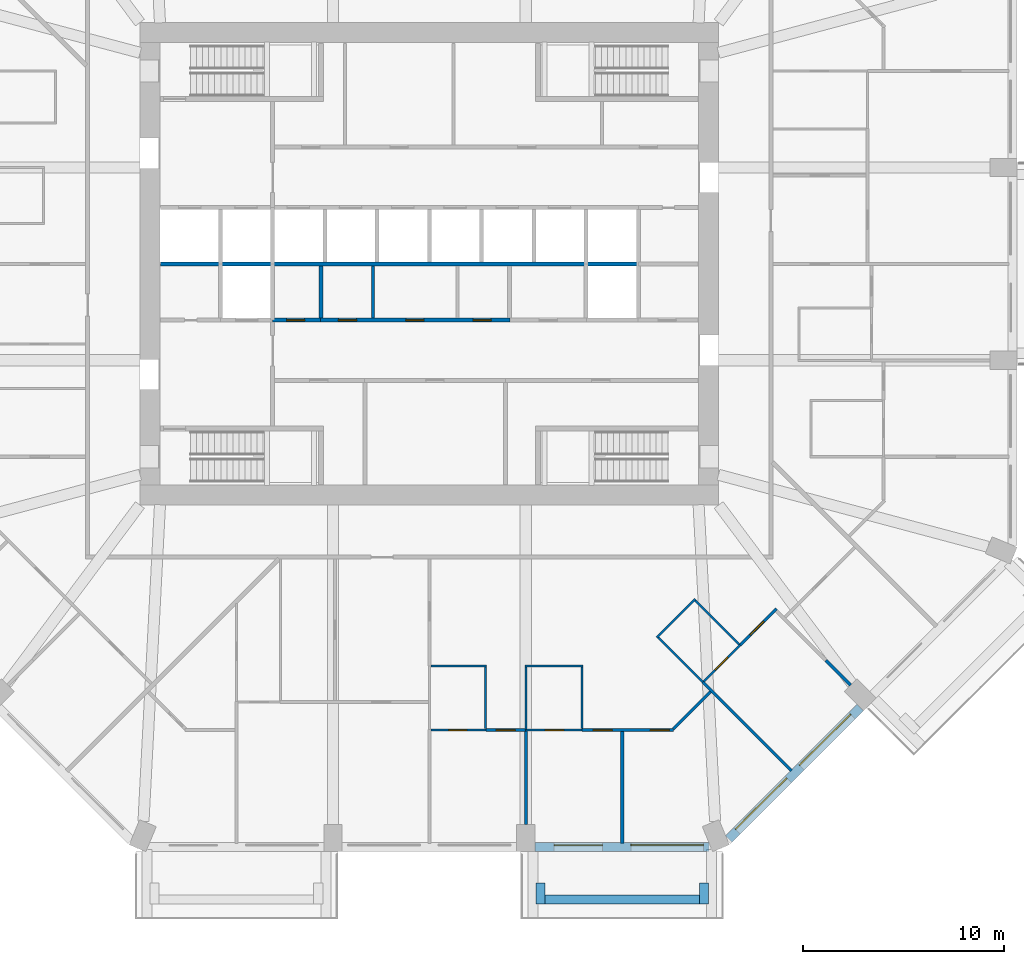
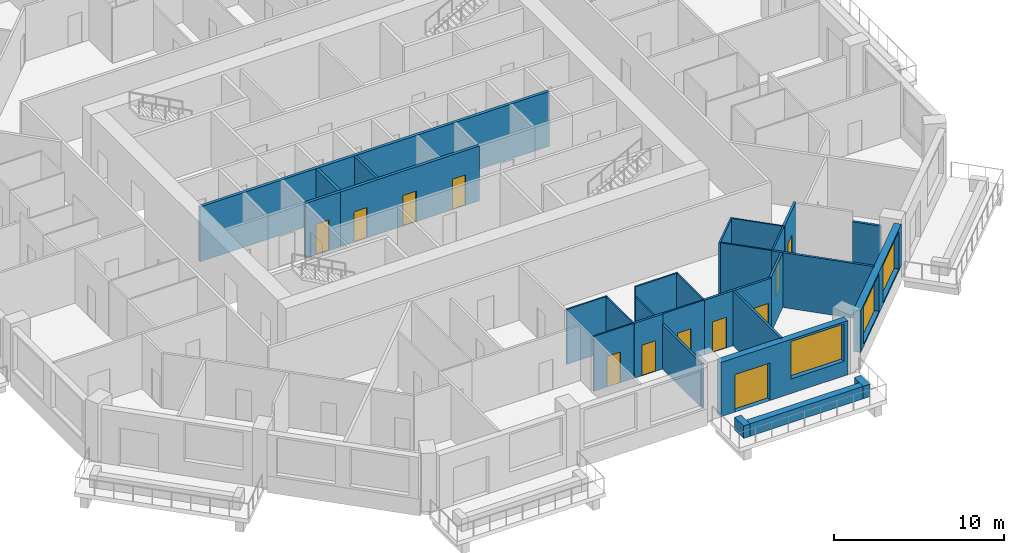
# One storey, part 5 of 13: 29 walls, 12 doors, 3 windows, 15 openings.
"""IFC4 building model written with IfcOpenShell, lengths in metres."""

from ifc_helpers import new_model, si_unit, direction, frame, frame_2d, origin, place, context, subcontext, project, spatial, rectangle, extrude, material, layer, layer_set, type_object, element, fill, save


model = new_model("IFC4")

# Units and contexts
model_context = context("Model", 3, precision=1e-05, world=origin(), true_north=direction((0.0, 1.0)))
body_context = subcontext(model_context, "Body", "Model", "MODEL_VIEW")
ifc_project = project(units=[si_unit("LENGTHUNIT", "METRE"), si_unit("AREAUNIT", "SQUARE_METRE"), si_unit("VOLUMEUNIT", "CUBIC_METRE"), si_unit("PLANEANGLEUNIT", "RADIAN"), si_unit("MASSUNIT", "GRAM", prefix="KILO")], contexts=[model_context])

# Site, building, storey
site_placement = place(None, origin())
site = spatial("IfcSite", under=ifc_project, at=site_placement, CompositionType="ELEMENT")
building_placement = place(site_placement, origin())
building = spatial("IfcBuilding", under=site, at=building_placement, Name="Msitu Wima Residences", CompositionType="ELEMENT")
storey_placement = place(building_placement, frame((0.0, 0.0, 75.89990234375)))
storey = spatial("IfcBuildingStorey", under=building, at=storey_placement, Name="L17", CompositionType="ELEMENT", Elevation=75.89990234375)

# Walls
ifc_material_1 = material(Name="Facing brick")
ifc_layer_1 = layer(ifc_material_1, 0.06494140625, Name="Facing brick")
ifc_material_2 = material(Name="Concrete C40/50", Category="concrete")
ifc_layer_2 = layer(ifc_material_2, 0.156005859375, Name="Concrete C40/50")
ifc_material_3 = material(Name="Waterproofing membrane")
ifc_layer_3 = layer(ifc_material_3, 0.00390625, Name="Waterproofing membrane")
ifc_material_4 = material(Name="Planting soil and planting")
ifc_layer_4 = layer(ifc_material_4, 0.22509765625, Name="Planting soil and planting")
ifc_layer_set_1 = layer_set([ifc_layer_1, ifc_layer_2, ifc_layer_3, ifc_layer_4], Name="Concrete C40/50")
wall_type_1 = type_object("IfcWallType", Name="Balcony planter PLANTER PL450", PredefinedType="USERDEFINED", material=ifc_layer_set_1)
wall_1_placement = place(storey_placement, frame((5.75, -31.625, 0.0), z_axis=(0.0, 0.0, 1.0), x_axis=(1.0, 0.0, 0.0)))
element("IfcWall", 1, at=wall_1_placement, inside=storey, type_object=wall_type_1, Name="Balcony planter S2 L17", ObjectType="PLANTER", PredefinedType="USERDEFINED", context=body_context, shape_type="SweptSolid", body=[
    extrude(rectangle(XDim=7.699951171875, YDim=0.449951171875, at=frame_2d((3.85009765625, 0.0))), origin(), (0.0, 0.0, 1.0), 0.900146484375),
])
for number, where, z_axis, x_axis, name in (
    (2, (5.52490234375, -30.800048828125, 0.0), (0.0, 0.0, 1.0), (0.0, -1.0, 0.0), "Balcony planter S2 L17"),
    (3, (13.675048828125, -30.800048828125, 0.0), (0.0, 0.0, 1.0), (0.0, -1.0, 0.0), "Balcony planter S2 L17"),
):
    element("IfcWall", number, at=place(storey_placement, frame(where, z_axis=z_axis, x_axis=x_axis)), inside=storey, type_object=wall_type_1, Name=name, ObjectType="PLANTER", PredefinedType="USERDEFINED", context=body_context, shape_type="SweptSolid", body=[
        extrude(rectangle(XDim=1.050048828125, YDim=0.449951171875, at=frame_2d((0.52490234375, 0.0))), origin(), (0.0, 0.0, 1.0), 0.900146484375),
    ])

# Wall, openings, door, window
ifc_material_5 = material(Name="Brick (red buff mix)", Category="masonry")
ifc_layer_5 = layer(ifc_material_5, 0.449951171875)
ifc_layer_set_2 = layer_set([ifc_layer_5], Name="Brick (red buff mix)")
wall_type_2 = type_object("IfcWallType", Name="Brick infill wall BW450", PredefinedType="SOLIDWALL", material=ifc_layer_set_2)
wall_2_placement = place(storey_placement, frame((5.25, -29.02490234375, 0.0), z_axis=(0.0, 0.0, 1.0), x_axis=(1.0, 0.0, 0.0)))
wall_2 = element("IfcWall", 4, at=wall_2_placement, inside=storey, type_object=wall_type_2, Name="Brick infill wall L17 S2", PredefinedType="SOLIDWALL", context=body_context, shape_type="SweptSolid", body=[
    extrude(rectangle(XDim=8.662841796875, YDim=0.449951171875, at=frame_2d((4.33154296875, 0.0))), origin(), (0.0, 0.0, 1.0), 3.900146484375),
])
opening_1_placement = place(wall_2_placement, frame((0.9658203125, 0.0, 0.0)))
opening_1 = element("IfcOpeningElement", 5, at=opening_1_placement, cuts=wall_2, Name="Opening D16-17.007", PredefinedType="OPENING", context=body_context, shape_type="SweptSolid", body=[
    extrude(rectangle(XDim=2.39990234375, YDim=2.699951171875, at=frame_2d((1.199951171875, 1.35009765625))), frame((0.0, 0.23486328125, 0.0), z_axis=(0.0, -1.0, 0.0), x_axis=(1.0, 0.0, 0.0)), (0.0, 0.0, 1.0), 0.469970703125),
])
opening_2_placement = place(wall_2_placement, frame((4.781494140625, 0.0, 1.050048828125)))
opening_2 = element("IfcOpeningElement", 6, at=opening_2_placement, cuts=wall_2, Name="Opening W16-17.019", PredefinedType="OPENING", context=body_context, shape_type="SweptSolid", body=[
    extrude(rectangle(XDim=3.60009765625, YDim=2.699951171875, at=frame_2d((1.800048828125, 1.35009765625))), frame((0.0, 0.23486328125, 0.0), z_axis=(0.0, -1.0, 0.0), x_axis=(1.0, 0.0, 0.0)), (0.0, 0.0, 1.0), 0.469970703125),
])
ifc_material_6 = material(Name="Anodised aluminium, bronze finish, clear low-emissivity double glazing", Category="aluminium")
door_type_1 = type_object("IfcDoorType", Name="Balcony door D2400x2700", OperationType="SLIDING_TO_LEFT", PredefinedType="DOOR", material=ifc_material_6)
door_1_placement = place(opening_1_placement, origin())
door_1 = element("IfcDoor", 7, at=door_1_placement, inside=storey, type_object=door_type_1, Name="Balcony door L17 S2", OperationType="SINGLE_SWING_LEFT", OverallHeight=2.699951171875, OverallWidth=2.39990234375, PredefinedType="DOOR", context=body_context, shape_type="SweptSolid", body=[
    extrude(rectangle(XDim=2.39990234375, YDim=2.699951171875, at=frame_2d((1.199951171875, 1.35009765625))), frame((0.0, 0.1298828125, 0.0), z_axis=(0.0, -1.0, 0.0), x_axis=(1.0, 0.0, 0.0)), (0.0, 0.0, 1.0), 0.050048828125),
])
fill(opening_1, door_1)
window_type = type_object("IfcWindowType", Name="Window W3600x2700", PartitioningType="DOUBLE_PANEL_VERTICAL", PredefinedType="WINDOW", material=ifc_material_6)
window_1_placement = place(opening_2_placement, origin())
window_1 = element("IfcWindow", 8, at=window_1_placement, inside=storey, type_object=window_type, Name="Window L17 S2.2", OverallHeight=2.699951171875, OverallWidth=3.60009765625, PartitioningType="SINGLE_PANEL", PredefinedType="WINDOW", context=body_context, shape_type="SweptSolid", body=[
    extrude(rectangle(XDim=3.60009765625, YDim=2.699951171875, at=frame_2d((1.800048828125, 1.35009765625))), frame((0.0, 0.135009765625, 0.0), z_axis=(0.0, -1.0, 0.0), x_axis=(1.0, 0.0, 0.0)), (0.0, 0.0, 1.0), 0.06005859375),
])
fill(opening_2, window_1)

# Wall, openings, windows
wall_3_placement = place(storey_placement, frame((14.903564453125, -28.61474609375, 0.900146484375), z_axis=(0.0, 0.0, 1.0), x_axis=(0.707106781187, 0.707106781187, 0.0)))
wall_3 = element("IfcWall", 9, at=wall_3_placement, inside=storey, type_object=wall_type_2, Name="Brick infill wall L17 SE0", PredefinedType="SOLIDWALL", context=body_context, shape_type="SweptSolid", body=[
    extrude(rectangle(XDim=9.2451171875, YDim=0.449951171875, at=frame_2d((4.62255859375, 0.0))), origin(), (0.0, 0.0, 1.0), 3.0),
])
opening_3_placement = place(wall_3_placement, frame((0.572509765625, 0.0, 0.14990234375)))
opening_3 = element("IfcOpeningElement", 10, at=opening_3_placement, cuts=wall_3, Name="Opening W16-17.020", PredefinedType="OPENING", context=body_context, shape_type="SweptSolid", body=[
    extrude(rectangle(XDim=3.60009765625, YDim=2.699951171875, at=frame_2d((1.800048828125, 1.35009765625))), frame((0.0, 0.23486328125, 0.0), z_axis=(0.0, -1.0, 0.0), x_axis=(1.0, 0.0, 0.0)), (0.0, 0.0, 1.0), 0.469970703125),
])
opening_4_placement = place(wall_3_placement, frame((5.072509765625, 0.0, 0.14990234375)))
opening_4 = element("IfcOpeningElement", 11, at=opening_4_placement, cuts=wall_3, Name="Opening W16-17.021", PredefinedType="OPENING", context=body_context, shape_type="SweptSolid", body=[
    extrude(rectangle(XDim=3.60009765625, YDim=2.699951171875, at=frame_2d((1.800048828125, 1.35009765625))), frame((0.0, 0.23486328125, 0.0), z_axis=(0.0, -1.0, 0.0), x_axis=(1.0, 0.0, 0.0)), (0.0, 0.0, 1.0), 0.469970703125),
])
window_2_placement = place(opening_3_placement, origin())
window_2 = element("IfcWindow", 12, at=window_2_placement, inside=storey, type_object=window_type, Name="Window L17 SE0.1", OverallHeight=2.699951171875, OverallWidth=3.60009765625, PartitioningType="SINGLE_PANEL", PredefinedType="WINDOW", context=body_context, shape_type="SweptSolid", body=[
    extrude(rectangle(XDim=3.60009765625, YDim=2.699951171875, at=frame_2d((1.800048828125, 1.35009765625))), frame((0.0, 0.135009765625, 0.0), z_axis=(0.0, -1.0, 0.0), x_axis=(1.0, 0.0, 0.0)), (0.0, 0.0, 1.0), 0.06005859375),
])
fill(opening_3, window_2)
window_3_placement = place(opening_4_placement, origin())
window_3 = element("IfcWindow", 13, at=window_3_placement, inside=storey, type_object=window_type, Name="Window L17 SE0.2", OverallHeight=2.699951171875, OverallWidth=3.60009765625, PartitioningType="SINGLE_PANEL", PredefinedType="WINDOW", context=body_context, shape_type="SweptSolid", body=[
    extrude(rectangle(XDim=3.60009765625, YDim=2.699951171875, at=frame_2d((1.800048828125, 1.35009765625))), frame((0.0, 0.135009765625, 0.0), z_axis=(0.0, -1.0, 0.0), x_axis=(1.0, 0.0, 0.0)), (0.0, 0.0, 1.0), 0.06005859375),
])
fill(opening_4, window_3)

# Wall, openings, doors
ifc_material_7 = material(Name="Plaster")
ifc_layer_6 = layer(ifc_material_7, 0.011962890625, Name="Plaster")
ifc_material_8 = material(Name="Concrete blockwork", Category="masonry")
ifc_layer_7 = layer(ifc_material_8, 0.176025390625, Name="Concrete blockwork")
ifc_layer_8 = layer(ifc_material_7, 0.011962890625, Name="Plaster")
ifc_layer_set_3 = layer_set([ifc_layer_6, ifc_layer_7, ifc_layer_8], Name="Concrete blockwork")
wall_type_3 = type_object("IfcWallType", Name="Corridor wall FW200", PredefinedType="PARTITIONING", material=ifc_layer_set_3)
wall_4_placement = place(storey_placement, frame((-5.419921875, -2.800048828125, 0.0), z_axis=(0.0, 0.0, 1.0), x_axis=(1.0, 0.0, 0.0)))
wall_4 = element("IfcWall", 14, at=wall_4_placement, inside=storey, type_object=wall_type_3, Name="Corridor wall", PredefinedType="PARTITIONING", context=body_context, shape_type="SweptSolid", body=[
    extrude(rectangle(XDim=9.43994140625, YDim=0.199951171875, at=frame_2d((4.719970703125, 0.0))), origin(), (0.0, 0.0, 1.0), 3.9501953125),
])
opening_5_placement = place(wall_4_placement, frame((0.89990234375, 0.0, 0.0)))
opening_5 = element("IfcOpeningElement", 15, at=opening_5_placement, cuts=wall_4, Name="Opening D16-17.032", PredefinedType="OPENING", context=body_context, shape_type="SweptSolid", body=[
    extrude(rectangle(XDim=0.89990234375, YDim=2.199951171875, at=frame_2d((0.449951171875, 1.10009765625))), frame((0.0, 0.10986328125, 0.0), z_axis=(0.0, -1.0, 0.0), x_axis=(1.0, 0.0, 0.0)), (0.0, 0.0, 1.0), 0.219970703125),
])
opening_6_placement = place(wall_4_placement, frame((4.25, 0.0, 0.0)))
opening_6 = element("IfcOpeningElement", 16, at=opening_6_placement, cuts=wall_4, Name="Opening D16-17.033", PredefinedType="OPENING", context=body_context, shape_type="SweptSolid", body=[
    extrude(rectangle(XDim=0.89990234375, YDim=2.199951171875, at=frame_2d((0.449951171875, 1.10009765625))), frame((0.0, 0.10986328125, 0.0), z_axis=(0.0, -1.0, 0.0), x_axis=(1.0, 0.0, 0.0)), (0.0, 0.0, 1.0), 0.219970703125),
])
opening_7_placement = place(wall_4_placement, frame((7.60009765625, 0.0, 0.0)))
opening_7 = element("IfcOpeningElement", 17, at=opening_7_placement, cuts=wall_4, Name="Opening D16-17.034", PredefinedType="OPENING", context=body_context, shape_type="SweptSolid", body=[
    extrude(rectangle(XDim=0.89990234375, YDim=2.199951171875, at=frame_2d((0.449951171875, 1.10009765625))), frame((0.0, 0.10986328125, 0.0), z_axis=(0.0, -1.0, 0.0), x_axis=(1.0, 0.0, 0.0)), (0.0, 0.0, 1.0), 0.219970703125),
])
ifc_material_9 = material(Name="Timber flush door", Category="wood")
door_type_2 = type_object("IfcDoorType", Name="Service door D05 900x2200", OperationType="SINGLE_SWING_LEFT", PredefinedType="DOOR", material=ifc_material_9)
door_2_placement = place(opening_5_placement, origin())
door_2 = element("IfcDoor", 18, at=door_2_placement, inside=storey, type_object=door_type_2, Name="Service door", OperationType="SINGLE_SWING_RIGHT", OverallHeight=2.199951171875, OverallWidth=0.89990234375, PredefinedType="DOOR", context=body_context, shape_type="SweptSolid", body=[
    extrude(rectangle(XDim=0.89990234375, YDim=2.199951171875, at=frame_2d((0.449951171875, 1.10009765625))), frame((0.0, 0.02490234375, 0.0), z_axis=(0.0, -1.0, 0.0), x_axis=(1.0, 0.0, 0.0)), (0.0, 0.0, 1.0), 0.050048828125),
])
fill(opening_5, door_2)
door_3_placement = place(opening_6_placement, origin())
door_3 = element("IfcDoor", 19, at=door_3_placement, inside=storey, type_object=door_type_2, Name="Service door", OperationType="SINGLE_SWING_LEFT", OverallHeight=2.199951171875, OverallWidth=0.89990234375, PredefinedType="DOOR", context=body_context, shape_type="SweptSolid", body=[
    extrude(rectangle(XDim=0.89990234375, YDim=2.199951171875, at=frame_2d((0.449951171875, 1.10009765625))), frame((0.0, 0.02490234375, 0.0), z_axis=(0.0, -1.0, 0.0), x_axis=(1.0, 0.0, 0.0)), (0.0, 0.0, 1.0), 0.050048828125),
])
fill(opening_6, door_3)
door_4_placement = place(opening_7_placement, origin())
door_4 = element("IfcDoor", 20, at=door_4_placement, inside=storey, type_object=door_type_2, Name="Service door", OperationType="SINGLE_SWING_LEFT", OverallHeight=2.199951171875, OverallWidth=0.89990234375, PredefinedType="DOOR", context=body_context, shape_type="SweptSolid", body=[
    extrude(rectangle(XDim=0.89990234375, YDim=2.199951171875, at=frame_2d((0.449951171875, 1.10009765625))), frame((0.0, 0.02490234375, 0.0), z_axis=(0.0, -1.0, 0.0), x_axis=(1.0, 0.0, 0.0)), (0.0, 0.0, 1.0), 0.050048828125),
])
fill(opening_7, door_4)

# Wall
ifc_layer_9 = layer(ifc_material_7, 0.011962890625, Name="Plaster")
ifc_layer_10 = layer(ifc_material_8, 0.1259765625, Name="Concrete blockwork")
ifc_layer_11 = layer(ifc_material_7, 0.011962890625, Name="Plaster")
ifc_layer_set_4 = layer_set([ifc_layer_9, ifc_layer_10, ifc_layer_11], Name="Concrete blockwork")
wall_type_4 = type_object("IfcWallType", Name="Partition PW150", PredefinedType="PARTITIONING", material=ifc_layer_set_4)
wall_5_placement = place(storey_placement, frame((-2.800048828125, -2.699951171875, 0.0), z_axis=(0.0, 0.0, 1.0), x_axis=(0.0, 1.0, 0.0)))
element("IfcWall", 21, at=wall_5_placement, inside=storey, type_object=wall_type_4, Name="Partition", PredefinedType="PARTITIONING", context=body_context, shape_type="SweptSolid", body=[
    extrude(rectangle(XDim=2.599853515625, YDim=0.14990234375, at=frame_2d((1.2998046875, 0.0))), origin(), (0.0, 0.0, 1.0), 3.9501953125),
])

# Wall, opening, door
wall_6_placement = place(storey_placement, frame((2.820068359375, -23.199951171875, 0.0), z_axis=(0.0, 0.0, 1.0), x_axis=(1.0, 0.0, 0.0)))
wall_6 = element("IfcWall", 22, at=wall_6_placement, inside=storey, type_object=wall_type_4, Name="Partition", PredefinedType="PARTITIONING", context=body_context, shape_type="SweptSolid", body=[
    extrude(rectangle(XDim=1.9599609375, YDim=0.14990234375, at=frame_2d((0.97998046875, 0.0))), origin(), (0.0, 0.0, 1.0), 3.9501953125),
])
opening_8_placement = place(wall_6_placement, frame((0.5, 0.0, 0.0)))
opening_8 = element("IfcOpeningElement", 23, at=opening_8_placement, cuts=wall_6, Name="Opening D16-17.066", PredefinedType="OPENING", context=body_context, shape_type="SweptSolid", body=[
    extrude(rectangle(XDim=0.949951171875, YDim=2.199951171875, at=frame_2d((0.47509765625, 1.10009765625))), frame((0.0, 0.0849609375, 0.0), z_axis=(0.0, -1.0, 0.0), x_axis=(1.0, 0.0, 0.0)), (0.0, 0.0, 1.0), 0.169921875),
])
door_type_3 = type_object("IfcDoorType", Name="Room door D12 950x2200", OperationType="SINGLE_SWING_LEFT", PredefinedType="DOOR", material=ifc_material_9)
door_5_placement = place(opening_8_placement, origin())
door_5 = element("IfcDoor", 24, at=door_5_placement, inside=storey, type_object=door_type_3, Name="Room door", OperationType="SINGLE_SWING_LEFT", OverallHeight=2.199951171875, OverallWidth=0.949951171875, PredefinedType="DOOR", context=body_context, shape_type="SweptSolid", body=[
    extrude(rectangle(XDim=0.949951171875, YDim=2.199951171875, at=frame_2d((0.47509765625, 1.10009765625))), frame((0.0, 0.02490234375, 0.0), z_axis=(0.0, -1.0, 0.0), x_axis=(1.0, 0.0, 0.0)), (0.0, 0.0, 1.0), 0.050048828125),
])
fill(opening_8, door_5)

# Wall
wall_7_placement = place(storey_placement, frame((4.800048828125, -27.89990234375, 0.0), z_axis=(0.0, 0.0, 1.0), x_axis=(0.0, 1.0, 0.0)))
element("IfcWall", 25, at=wall_7_placement, inside=storey, type_object=wall_type_4, Name="Partition", PredefinedType="PARTITIONING", context=body_context, shape_type="SweptSolid", body=[
    extrude(rectangle(XDim=4.719970703125, YDim=0.14990234375, at=frame_2d((2.35986328125, 0.0))), origin(), (0.0, 0.0, 1.0), 3.2001953125),
])

# Wall, openings, doors
wall_8_placement = place(storey_placement, frame((7.60009765625, -23.199951171875, 0.0), z_axis=(0.0, 0.0, 1.0), x_axis=(1.0, 0.0, 0.0)))
wall_8 = element("IfcWall", 26, at=wall_8_placement, inside=storey, type_object=wall_type_4, Name="Partition", PredefinedType="PARTITIONING", context=body_context, shape_type="SweptSolid", body=[
    extrude(rectangle(XDim=4.555419921875, YDim=0.14990234375, at=frame_2d((2.27783203125, 0.0))), origin(), (0.0, 0.0, 1.0), 3.9501953125),
])
opening_9_placement = place(wall_8_placement, frame((0.550048828125, 0.0, 0.0)))
opening_9 = element("IfcOpeningElement", 27, at=opening_9_placement, cuts=wall_8, Name="Opening D16-17.063", PredefinedType="OPENING", context=body_context, shape_type="SweptSolid", body=[
    extrude(rectangle(XDim=0.949951171875, YDim=2.199951171875, at=frame_2d((0.47509765625, 1.10009765625))), frame((0.0, 0.0849609375, 0.0), z_axis=(0.0, -1.0, 0.0), x_axis=(1.0, 0.0, 0.0)), (0.0, 0.0, 1.0), 0.169921875),
])
opening_10_placement = place(wall_8_placement, frame((3.39990234375, 0.0, 0.0)))
opening_10 = element("IfcOpeningElement", 28, at=opening_10_placement, cuts=wall_8, Name="Opening D16-17.071", PredefinedType="OPENING", context=body_context, shape_type="SweptSolid", body=[
    extrude(rectangle(XDim=0.949951171875, YDim=2.199951171875, at=frame_2d((0.47509765625, 1.10009765625))), frame((0.0, 0.0849609375, 0.0), z_axis=(0.0, -1.0, 0.0), x_axis=(1.0, 0.0, 0.0)), (0.0, 0.0, 1.0), 0.169921875),
])
door_6_placement = place(opening_9_placement, origin())
door_6 = element("IfcDoor", 29, at=door_6_placement, inside=storey, type_object=door_type_3, Name="Room door", OperationType="SINGLE_SWING_LEFT", OverallHeight=2.199951171875, OverallWidth=0.949951171875, PredefinedType="DOOR", context=body_context, shape_type="SweptSolid", body=[
    extrude(rectangle(XDim=0.949951171875, YDim=2.199951171875, at=frame_2d((0.47509765625, 1.10009765625))), frame((0.0, 0.02490234375, 0.0), z_axis=(0.0, -1.0, 0.0), x_axis=(1.0, 0.0, 0.0)), (0.0, 0.0, 1.0), 0.050048828125),
])
fill(opening_9, door_6)
door_7_placement = place(opening_10_placement, origin())
door_7 = element("IfcDoor", 30, at=door_7_placement, inside=storey, type_object=door_type_3, Name="Room door", OperationType="SINGLE_SWING_RIGHT", OverallHeight=2.199951171875, OverallWidth=0.949951171875, PredefinedType="DOOR", context=body_context, shape_type="SweptSolid", body=[
    extrude(rectangle(XDim=0.949951171875, YDim=2.199951171875, at=frame_2d((0.47509765625, 1.10009765625))), frame((0.0, 0.02490234375, 0.0), z_axis=(0.0, -1.0, 0.0), x_axis=(1.0, 0.0, 0.0)), (0.0, 0.0, 1.0), 0.050048828125),
])
fill(opening_10, door_7)

# Walls
wall_9_placement = place(storey_placement, frame((9.60009765625, -28.85498046875, 0.0), z_axis=(0.0, 0.0, 1.0), x_axis=(0.0, 1.0, 0.0)))
element("IfcWall", 31, at=wall_9_placement, inside=storey, type_object=wall_type_4, Name="Partition", PredefinedType="PARTITIONING", context=body_context, shape_type="SweptSolid", body=[
    extrude(rectangle(XDim=5.580078125, YDim=0.14990234375, at=frame_2d((2.7900390625, 0.0))), origin(), (0.0, 0.0, 1.0), 3.9501953125),
])
wall_10_placement = place(storey_placement, frame((12.133544921875, -23.14697265625, 0.0), z_axis=(0.0, 0.0, 1.0), x_axis=(0.707060213517, 0.70715334579, 0.0)))
element("IfcWall", 32, at=wall_10_placement, inside=storey, type_object=wall_type_4, Name="Partition", PredefinedType="PARTITIONING", context=body_context, shape_type="SweptSolid", body=[
    extrude(rectangle(XDim=2.621337890625, YDim=0.14990234375, at=frame_2d((1.310546875, 0.0))), origin(), (0.0, 0.0, 1.0), 3.9501953125),
])
wall_11_placement = place(storey_placement, frame((13.601806640625, -20.8017578125, 0.0), z_axis=(0.0, 0.0, 1.0), x_axis=(0.707087234081, -0.707126327752, 0.0)))
element("IfcWall", 33, at=wall_11_placement, inside=storey, type_object=wall_type_4, Name="Partition", PredefinedType="PARTITIONING", context=body_context, shape_type="SweptSolid", body=[
    extrude(rectangle(XDim=6.2451171875, YDim=0.14990234375, at=frame_2d((3.12255859375, 0.0))), origin(), (0.0, 0.0, 1.0), 3.9501953125),
])

# Wall, opening, door
wall_12_placement = place(storey_placement, frame((15.468505859375, -18.96337890625, 0.0), z_axis=(0.0, 0.0, 1.0), x_axis=(0.707106781187, 0.707106781187, 0.0)))
wall_12 = element("IfcWall", 34, at=wall_12_placement, inside=storey, type_object=wall_type_4, Name="Partition", PredefinedType="PARTITIONING", context=body_context, shape_type="SweptSolid", body=[
    extrude(rectangle(XDim=2.54638671875, YDim=0.14990234375, at=frame_2d((1.273193359375, 0.0))), origin(), (0.0, 0.0, 1.0), 3.9501953125),
])
opening_11_placement = place(wall_12_placement, frame((0.699951171875, 0.0, 0.0)))
opening_11 = element("IfcOpeningElement", 35, at=opening_11_placement, cuts=wall_12, Name="Opening D16-17.069", PredefinedType="OPENING", context=body_context, shape_type="SweptSolid", body=[
    extrude(rectangle(XDim=0.949951171875, YDim=2.199951171875, at=frame_2d((0.47509765625, 1.10009765625))), frame((0.0, 0.0849609375, 0.0), z_axis=(0.0, -1.0, 0.0), x_axis=(1.0, 0.0, 0.0)), (0.0, 0.0, 1.0), 0.169921875),
])
door_8_placement = place(opening_11_placement, origin())
door_8 = element("IfcDoor", 36, at=door_8_placement, inside=storey, type_object=door_type_3, Name="Room door", OperationType="SINGLE_SWING_LEFT", OverallHeight=2.199951171875, OverallWidth=0.949951171875, PredefinedType="DOOR", context=body_context, shape_type="SweptSolid", body=[
    extrude(rectangle(XDim=0.949951171875, YDim=2.199951171875, at=frame_2d((0.47509765625, 1.10009765625))), frame((0.0, 0.02490234375, 0.0), z_axis=(0.0, -1.0, 0.0), x_axis=(1.0, 0.0, 0.0)), (0.0, 0.0, 1.0), 0.050048828125),
])
fill(opening_11, door_8)

# Wall
wall_13_placement = place(storey_placement, frame((19.727294921875, -19.727294921875, 0.0), z_axis=(0.0, 0.0, 1.0), x_axis=(0.707106781187, -0.707106781187, 0.0)))
element("IfcWall", 37, at=wall_13_placement, inside=storey, type_object=wall_type_4, Name="Partition", PredefinedType="PARTITIONING", context=body_context, shape_type="SweptSolid", body=[
    extrude(rectangle(XDim=1.74853515625, YDim=0.14990234375, at=frame_2d((0.874267578125, 0.0))), origin(), (0.0, 0.0, 1.0), 3.25),
])

# Wall, opening, door
ifc_layer_12 = layer(ifc_material_7, 0.011962890625, Name="Plaster")
ifc_material_10 = material(Name="Reinforced concrete blockwork", Category="masonry")
ifc_layer_13 = layer(ifc_material_10, 0.176025390625, Name="Reinforced concrete blockwork")
ifc_layer_14 = layer(ifc_material_7, 0.011962890625, Name="Plaster")
ifc_layer_set_5 = layer_set([ifc_layer_12, ifc_layer_13, ifc_layer_14], Name="Reinforced concrete blockwork")
wall_type_5 = type_object("IfcWallType", Name="Plant and riser wall PL200", PredefinedType="PARTITIONING", material=ifc_layer_set_5)
wall_14_placement = place(storey_placement, frame((-7.800048828125, -2.800048828125, 0.0), z_axis=(0.0, 0.0, 1.0), x_axis=(1.0, 0.0, 0.0)))
wall_14 = element("IfcWall", 38, at=wall_14_placement, inside=storey, type_object=wall_type_5, Name="Plant and riser wall", PredefinedType="PARTITIONING", context=body_context, shape_type="SweptSolid", body=[
    extrude(rectangle(XDim=2.380126953125, YDim=0.199951171875, at=frame_2d((1.18994140625, 0.0))), origin(), (0.0, 0.0, 1.0), 3.9501953125),
])
opening_12_placement = place(wall_14_placement, frame((0.699951171875, 0.0, 0.0)))
opening_12 = element("IfcOpeningElement", 39, at=opening_12_placement, cuts=wall_14, Name="Opening D16-17.031", PredefinedType="OPENING", context=body_context, shape_type="SweptSolid", body=[
    extrude(rectangle(XDim=0.89990234375, YDim=2.199951171875, at=frame_2d((0.449951171875, 1.10009765625))), frame((0.0, 0.10986328125, 0.0), z_axis=(0.0, -1.0, 0.0), x_axis=(1.0, 0.0, 0.0)), (0.0, 0.0, 1.0), 0.219970703125),
])
door_9_placement = place(opening_12_placement, origin())
door_9 = element("IfcDoor", 40, at=door_9_placement, inside=storey, type_object=door_type_2, Name="Service door", OperationType="SINGLE_SWING_LEFT", OverallHeight=2.199951171875, OverallWidth=0.89990234375, PredefinedType="DOOR", context=body_context, shape_type="SweptSolid", body=[
    extrude(rectangle(XDim=0.89990234375, YDim=2.199951171875, at=frame_2d((0.449951171875, 1.10009765625))), frame((0.0, 0.02490234375, 0.0), z_axis=(0.0, -1.0, 0.0), x_axis=(1.0, 0.0, 0.0)), (0.0, 0.0, 1.0), 0.050048828125),
])
fill(opening_12, door_9)

# Walls
wall_15_placement = place(storey_placement, frame((-5.39990234375, -2.699951171875, 0.0), z_axis=(0.0, 0.0, 1.0), x_axis=(0.0, 1.0, 0.0)))
element("IfcWall", 41, at=wall_15_placement, inside=storey, type_object=wall_type_5, Name="Plant and riser wall", PredefinedType="PARTITIONING", context=body_context, shape_type="SweptSolid", body=[
    extrude(rectangle(XDim=2.599853515625, YDim=0.199951171875, at=frame_2d((1.2998046875, 0.0))), origin(), (0.0, 0.0, 1.0), 3.9501953125),
])
ifc_material_11 = material(Name="Fire-rated board")
ifc_layer_15 = layer(ifc_material_11, 0.02490234375, Name="Fire-rated board")
ifc_material_12 = material(Name="Light-gauge stud framing with mineral wool")
ifc_layer_16 = layer(ifc_material_12, 0.14990234375, Name="Light-gauge stud framing with mineral wool")
ifc_layer_17 = layer(ifc_material_11, 0.02490234375, Name="Fire-rated board")
ifc_layer_set_6 = layer_set([ifc_layer_15, ifc_layer_16, ifc_layer_17], Name="Light-gauge stud framing with mineral wool")
wall_type_6 = type_object("IfcWallType", Name="Shaft wall SH200", PredefinedType="PARTITIONING", material=ifc_layer_set_6)
wall_16_placement = place(storey_placement, frame((-13.3701171875, 0.0, 0.0), z_axis=(0.0, 0.0, 1.0), x_axis=(1.0, 0.0, 0.0)))
element("IfcWall", 42, at=wall_16_placement, inside=storey, type_object=wall_type_6, Name="Shaft wall", PredefinedType="PARTITIONING", context=body_context, shape_type="SweptSolid", body=[
    extrude(rectangle(XDim=23.77001953125, YDim=0.199951171875, at=frame_2d((11.885009765625, 0.0))), origin(), (0.0, 0.0, 1.0), 3.9501953125),
])

# Wall, opening, door
ifc_material_13 = material(Name="Ceramic tiles")
ifc_layer_18 = layer(ifc_material_13, 0.008056640625, Name="Ceramic tiles")
ifc_material_14 = material(Name="Moisture-resistant board")
ifc_layer_19 = layer(ifc_material_14, 0.012451171875, Name="Moisture-resistant board")
ifc_layer_20 = layer(ifc_material_12, 0.06689453125, Name="Light-gauge stud framing with mineral wool")
ifc_layer_21 = layer(ifc_material_14, 0.012451171875, Name="Moisture-resistant board")
ifc_layer_set_7 = layer_set([ifc_layer_18, ifc_layer_19, ifc_layer_20, ifc_layer_21], Name="Light-gauge stud framing with mineral wool")
wall_type_7 = type_object("IfcWallType", Name="Wet wall PW100", PredefinedType="PARTITIONING", material=ifc_layer_set_7)
wall_17_placement = place(storey_placement, frame((0.074951171875, -23.199951171875, 0.0), z_axis=(0.0, 0.0, 1.0), x_axis=(1.0, 0.0, 0.0)))
wall_17 = element("IfcWall", 43, at=wall_17_placement, inside=storey, type_object=wall_type_7, Name="Wet wall", PredefinedType="PARTITIONING", context=body_context, shape_type="SweptSolid", body=[
    extrude(rectangle(XDim=2.7451171875, YDim=0.10009765625, at=frame_2d((1.37255859375, 0.0))), origin(), (0.0, 0.0, 1.0), 3.9501953125),
])
opening_13_placement = place(wall_17_placement, frame((0.89990234375, 0.0, 0.0)))
opening_13 = element("IfcOpeningElement", 44, at=opening_13_placement, cuts=wall_17, Name="Opening D16-17.067", PredefinedType="OPENING", context=body_context, shape_type="SweptSolid", body=[
    extrude(rectangle(XDim=0.89990234375, YDim=2.199951171875, at=frame_2d((0.449951171875, 1.10009765625))), frame((0.0, 0.06005859375, 0.0), z_axis=(0.0, -1.0, 0.0), x_axis=(1.0, 0.0, 0.0)), (0.0, 0.0, 1.0), 0.1201171875),
])
ifc_material_15 = material(Name="Timber flush door, moisture resistant", Category="wood")
door_type_4 = type_object("IfcDoorType", Name="Bathroom door D03 900x2200", OperationType="SINGLE_SWING_LEFT", PredefinedType="DOOR", material=ifc_material_15)
door_10_placement = place(opening_13_placement, origin())
door_10 = element("IfcDoor", 45, at=door_10_placement, inside=storey, type_object=door_type_4, Name="Bathroom door", OperationType="SINGLE_SWING_RIGHT", OverallHeight=2.199951171875, OverallWidth=0.89990234375, PredefinedType="DOOR", context=body_context, shape_type="SweptSolid", body=[
    extrude(rectangle(XDim=0.89990234375, YDim=2.199951171875, at=frame_2d((0.449951171875, 1.10009765625))), frame((0.0, 0.02490234375, 0.0), z_axis=(0.0, -1.0, 0.0), x_axis=(1.0, 0.0, 0.0)), (0.0, 0.0, 1.0), 0.050048828125),
])
fill(opening_13, door_10)

# Walls
wall_18_placement = place(storey_placement, frame((0.074951171875, -20.0, 0.0), z_axis=(0.0, 0.0, 1.0), x_axis=(1.0, 0.0, 0.0)))
element("IfcWall", 46, at=wall_18_placement, inside=storey, type_object=wall_type_7, Name="Wet wall", PredefinedType="PARTITIONING", context=body_context, shape_type="SweptSolid", body=[
    extrude(rectangle(XDim=2.775146484375, YDim=0.10009765625, at=frame_2d((1.3876953125, 0.0))), origin(), (0.0, 0.0, 1.0), 3.9501953125),
])
wall_19_placement = place(storey_placement, frame((2.800048828125, -23.125, 0.0), z_axis=(0.0, 0.0, 1.0), x_axis=(0.0, 1.0, 0.0)))
element("IfcWall", 47, at=wall_19_placement, inside=storey, type_object=wall_type_7, Name="Wet wall", PredefinedType="PARTITIONING", context=body_context, shape_type="SweptSolid", body=[
    extrude(rectangle(XDim=3.074951171875, YDim=0.10009765625, at=frame_2d((1.53759765625, 0.0))), origin(), (0.0, 0.0, 1.0), 3.9501953125),
])

# Wall, opening, door
wall_20_placement = place(storey_placement, frame((4.780029296875, -23.199951171875, 0.0), z_axis=(0.0, 0.0, 1.0), x_axis=(1.0, 0.0, 0.0)))
wall_20 = element("IfcWall", 48, at=wall_20_placement, inside=storey, type_object=wall_type_7, Name="Wet wall", PredefinedType="PARTITIONING", context=body_context, shape_type="SweptSolid", body=[
    extrude(rectangle(XDim=2.820068359375, YDim=0.10009765625, at=frame_2d((1.41015625, 0.0))), origin(), (0.0, 0.0, 1.0), 3.9501953125),
])
opening_14_placement = place(wall_20_placement, frame((1.0, 0.0, 0.0)))
opening_14 = element("IfcOpeningElement", 49, at=opening_14_placement, cuts=wall_20, Name="Opening D16-17.065", PredefinedType="OPENING", context=body_context, shape_type="SweptSolid", body=[
    extrude(rectangle(XDim=0.89990234375, YDim=2.199951171875, at=frame_2d((0.449951171875, 1.10009765625))), frame((0.0, 0.06005859375, 0.0), z_axis=(0.0, -1.0, 0.0), x_axis=(1.0, 0.0, 0.0)), (0.0, 0.0, 1.0), 0.1201171875),
])
door_11_placement = place(opening_14_placement, origin())
door_11 = element("IfcDoor", 50, at=door_11_placement, inside=storey, type_object=door_type_4, Name="Bathroom door", OperationType="SINGLE_SWING_RIGHT", OverallHeight=2.199951171875, OverallWidth=0.89990234375, PredefinedType="DOOR", context=body_context, shape_type="SweptSolid", body=[
    extrude(rectangle(XDim=0.89990234375, YDim=2.199951171875, at=frame_2d((0.449951171875, 1.10009765625))), frame((0.0, 0.02490234375, 0.0), z_axis=(0.0, -1.0, 0.0), x_axis=(1.0, 0.0, 0.0)), (0.0, 0.0, 1.0), 0.050048828125),
])
fill(opening_14, door_11)

# Walls
wall_21_placement = place(storey_placement, frame((4.800048828125, -23.179931640625, 0.0), z_axis=(0.0, 0.0, 1.0), x_axis=(0.0, 1.0, 0.0)))
element("IfcWall", 51, at=wall_21_placement, inside=storey, type_object=wall_type_7, Name="Wet wall", PredefinedType="PARTITIONING", context=body_context, shape_type="SweptSolid", body=[
    extrude(rectangle(XDim=3.1298828125, YDim=0.10009765625, at=frame_2d((1.56494140625, 0.0))), origin(), (0.0, 0.0, 1.0), 3.2001953125),
])
wall_22_placement = place(storey_placement, frame((4.75, -20.0, 0.0), z_axis=(0.0, 0.0, 1.0), x_axis=(1.0, 0.0, 0.0)))
element("IfcWall", 52, at=wall_22_placement, inside=storey, type_object=wall_type_7, Name="Wet wall", PredefinedType="PARTITIONING", context=body_context, shape_type="SweptSolid", body=[
    extrude(rectangle(XDim=2.89990234375, YDim=0.10009765625, at=frame_2d((1.449951171875, 0.0))), origin(), (0.0, 0.0, 1.0), 3.9501953125),
])
wall_23_placement = place(storey_placement, frame((7.60009765625, -23.125, 0.0), z_axis=(0.0, 0.0, 1.0), x_axis=(0.0, 1.0, 0.0)))
element("IfcWall", 53, at=wall_23_placement, inside=storey, type_object=wall_type_7, Name="Wet wall", PredefinedType="PARTITIONING", context=body_context, shape_type="SweptSolid", body=[
    extrude(rectangle(XDim=3.074951171875, YDim=0.10009765625, at=frame_2d((1.53759765625, 0.0))), origin(), (0.0, 0.0, 1.0), 3.9501953125),
])
wall_24_placement = place(storey_placement, frame((11.31787109375, -18.588623046875, 0.0), z_axis=(0.0, 0.0, 1.0), x_axis=(0.707106781187, 0.707106781187, 0.0)))
element("IfcWall", 54, at=wall_24_placement, inside=storey, type_object=wall_type_7, Name="Wet wall", PredefinedType="PARTITIONING", context=body_context, shape_type="SweptSolid", body=[
    extrude(rectangle(XDim=2.699951171875, YDim=0.10009765625, at=frame_2d((1.35009765625, 0.0))), origin(), (0.0, 0.0, 1.0), 3.9501953125),
])
wall_25_placement = place(storey_placement, frame((11.388671875, -18.588623046875, 0.0), z_axis=(0.0, 0.0, 1.0), x_axis=(0.707106781187, -0.707106781187, 0.0)))
element("IfcWall", 55, at=wall_25_placement, inside=storey, type_object=wall_type_7, Name="Wet wall", PredefinedType="PARTITIONING", context=body_context, shape_type="SweptSolid", body=[
    extrude(rectangle(XDim=3.1298828125, YDim=0.10009765625, at=frame_2d((1.56494140625, 0.0))), origin(), (0.0, 0.0, 1.0), 3.9501953125),
])
wall_26_placement = place(storey_placement, frame((13.22705078125, -16.75, 0.0), z_axis=(0.0, 0.0, 1.0), x_axis=(0.707067402311, -0.707146157869, 0.0)))
element("IfcWall", 56, at=wall_26_placement, inside=storey, type_object=wall_type_7, Name="Wet wall", PredefinedType="PARTITIONING", context=body_context, shape_type="SweptSolid", body=[
    extrude(rectangle(XDim=3.10009765625, YDim=0.10009765625, at=frame_2d((1.550048828125, 0.0))), origin(), (0.0, 0.0, 1.0), 3.9501953125),
])

# Wall, opening, door
wall_27_placement = place(storey_placement, frame((13.6513671875, -20.780517578125, 0.0), z_axis=(0.0, 0.0, 1.0), x_axis=(0.707106781187, 0.707106781187, 0.0)))
wall_27 = element("IfcWall", 57, at=wall_27_placement, inside=storey, type_object=wall_type_7, Name="Wet wall", PredefinedType="PARTITIONING", context=body_context, shape_type="SweptSolid", body=[
    extrude(rectangle(XDim=2.56982421875, YDim=0.10009765625, at=frame_2d((1.284912109375, 0.0))), origin(), (0.0, 0.0, 1.0), 3.9501953125),
])
opening_15_placement = place(wall_27_placement, frame((0.800048828125, 0.0, 0.0)))
opening_15 = element("IfcOpeningElement", 58, at=opening_15_placement, cuts=wall_27, Name="Opening D16-17.070", PredefinedType="OPENING", context=body_context, shape_type="SweptSolid", body=[
    extrude(rectangle(XDim=0.89990234375, YDim=2.199951171875, at=frame_2d((0.449951171875, 1.10009765625))), frame((0.0, 0.06005859375, 0.0), z_axis=(0.0, -1.0, 0.0), x_axis=(1.0, 0.0, 0.0)), (0.0, 0.0, 1.0), 0.1201171875),
])
door_12_placement = place(opening_15_placement, origin())
door_12 = element("IfcDoor", 59, at=door_12_placement, inside=storey, type_object=door_type_4, Name="Bathroom door", OperationType="SINGLE_SWING_LEFT", OverallHeight=2.199951171875, OverallWidth=0.89990234375, PredefinedType="DOOR", context=body_context, shape_type="SweptSolid", body=[
    extrude(rectangle(XDim=0.89990234375, YDim=2.199951171875, at=frame_2d((0.449951171875, 1.10009765625))), frame((0.0, 0.02490234375, 0.0), z_axis=(0.0, -1.0, 0.0), x_axis=(1.0, 0.0, 0.0)), (0.0, 0.0, 1.0), 0.050048828125),
])
fill(opening_15, door_12)

save(model, "model.ifc")
